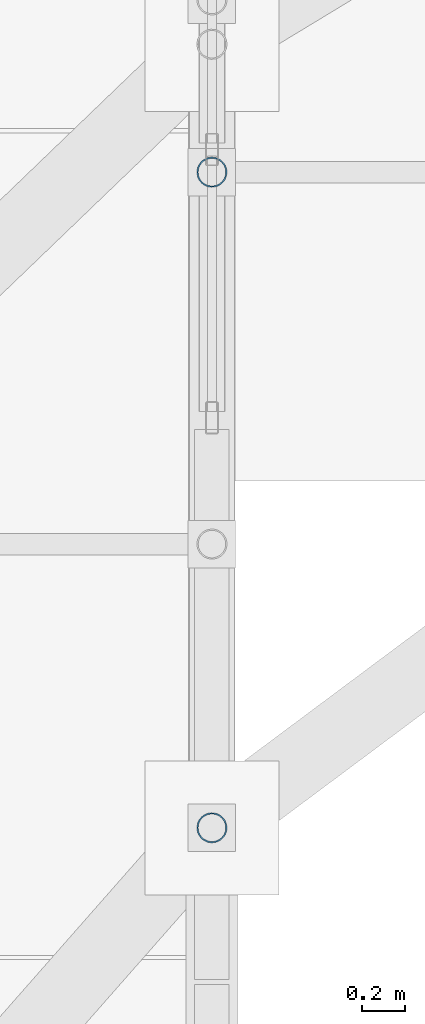
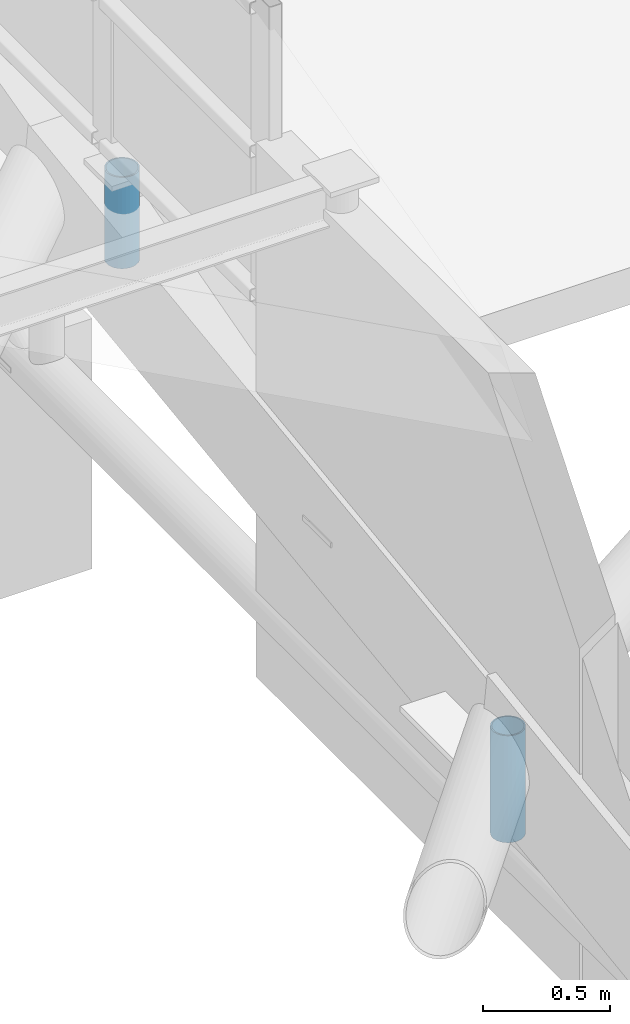
# One storey, part 142 of 188: 2 members.
"""IFC4 building model written with IfcOpenShell, lengths in metres."""

from ifc_helpers import new_model, si_unit, direction, frame, origin, origin_2d, place, context, subcontext, project, spatial, hollow_circle, extrude, material, material_profile, profile_set, type_object, element, save


model = new_model("IFC4")

# Units and contexts
model_context = context("Model", 3, precision=1e-05, world=origin(), true_north=direction((0.0, 1.0)))
body_context = subcontext(model_context, "Body", "Model", "MODEL_VIEW")
ifc_project = project(units=[si_unit("LENGTHUNIT", "METRE"), si_unit("AREAUNIT", "SQUARE_METRE"), si_unit("VOLUMEUNIT", "CUBIC_METRE"), si_unit("PLANEANGLEUNIT", "RADIAN"), si_unit("MASSUNIT", "GRAM", prefix="KILO")], contexts=[model_context])

# Site, building, storey
site_placement = place(None, origin())
site = spatial("IfcSite", under=ifc_project, at=site_placement, CompositionType="ELEMENT")
building_placement = place(site_placement, origin())
building = spatial("IfcBuilding", under=site, at=building_placement, Name="Kisaragi Civic Commons", CompositionType="ELEMENT")
storey_placement = place(building_placement, frame((0.0, 0.0, 9.60009765625)))
storey = spatial("IfcBuildingStorey", under=building, at=storey_placement, Name="L02", CompositionType="ELEMENT", Elevation=9.60009765625)

# Members
ifc_material = material(Name="Steel SN490 (SN490B)", Category="steel")
ifc_material_profile = material_profile(ifc_material, hollow_circle(Radius=0.06982421875, WallThickness=0.006103515625, at=origin_2d()), Name="CHS-139.8x6.0", Category="steel")
ifc_profile_set = profile_set([ifc_material_profile], Name="Steel SN490 (SN490B)")
member_type = type_object("IfcMemberType", Name="ST-H1", PredefinedType="STRUT", material=ifc_profile_set)
member_1_placement = place(storey_placement, frame((34.0, 92.169189453125, -0.080078125), z_axis=(0.0, 0.0, 1.0), x_axis=(1.0, 0.0, 0.0)))
element("IfcMember", 1, at=member_1_placement, inside=storey, type_object=member_type, Name="V2 arch tie hanger strut 74", PredefinedType="STRUT", context=body_context, shape_type="SweptSolid", body=[
    extrude(hollow_circle(Radius=0.06982421875, WallThickness=0.006103515625, at=origin_2d()), origin(), (0.0, 0.0, 1.0), 0.513427734375),
])
member_2_placement = place(storey_placement, frame((34.0, 95.20263671875, 0.834716796875), z_axis=(0.0, 0.0, 1.0), x_axis=(1.0, 0.0, 0.0)))
element("IfcMember", 2, at=member_2_placement, inside=storey, type_object=member_type, Name="V2 clerestory monitor horizontal tie strut 6.5.1", PredefinedType="STRUT", context=body_context, shape_type="SweptSolid", body=[
    extrude(hollow_circle(Radius=0.06982421875, WallThickness=0.006103515625, at=origin_2d()), origin(), (0.0, 0.0, 1.0), 0.4384765625),
])

save(model, "model.ifc")
